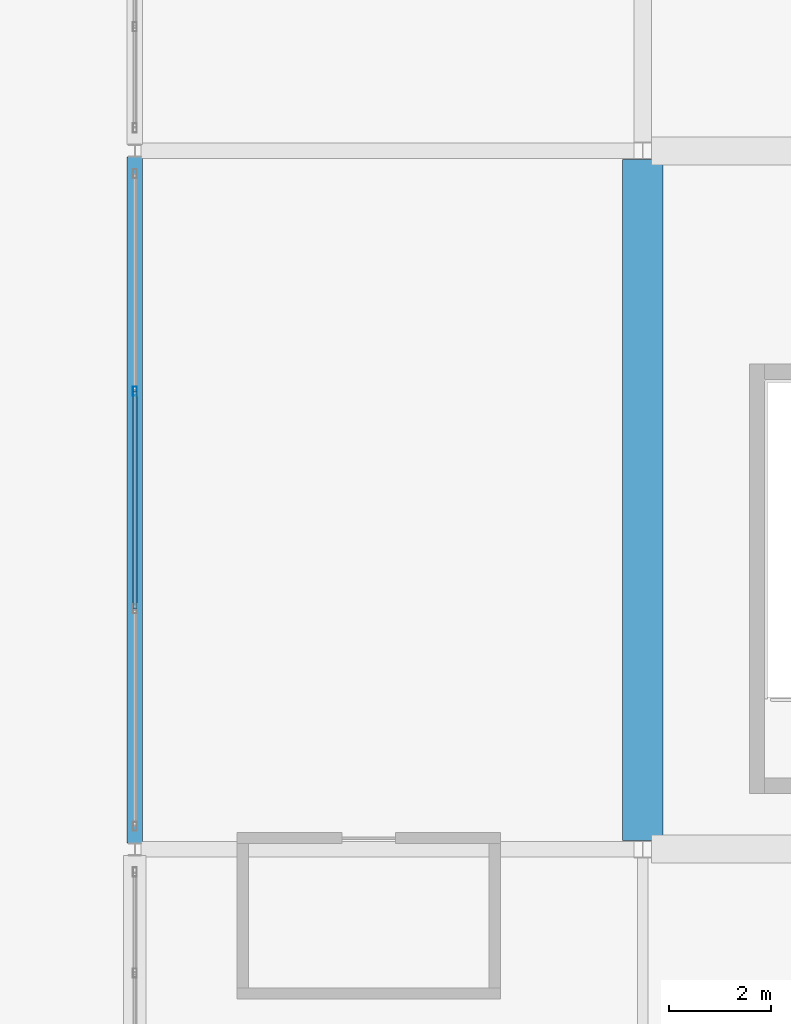
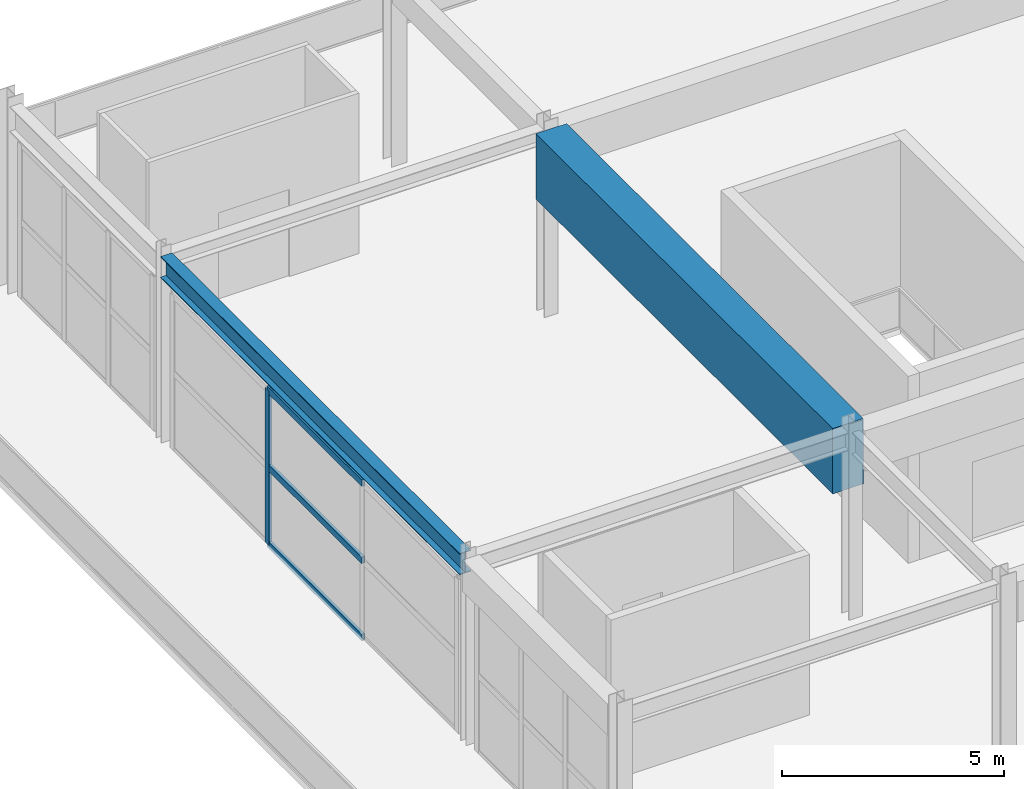
# One storey, part 23 of 117: 4 members, 2 beams, 1 element without a shape of its own.
"""IFC4 building model written with IfcOpenShell, lengths in metres."""

from ifc_helpers import new_model, si_unit, direction, frame, origin, origin_2d, place, context, subcontext, project, spatial, rectangle, hollow_rectangle, i_section, extrude, material, material_profile, profile_set, type_object, element, aggregate, save


model = new_model("IFC4")

# Units and contexts
model_context = context("Model", 3, precision=1e-05, world=origin(), true_north=direction((0.0, 1.0)))
body_context = subcontext(model_context, "Body", "Model", "MODEL_VIEW")
ifc_project = project(units=[si_unit("LENGTHUNIT", "METRE"), si_unit("AREAUNIT", "SQUARE_METRE"), si_unit("VOLUMEUNIT", "CUBIC_METRE"), si_unit("PLANEANGLEUNIT", "RADIAN"), si_unit("MASSUNIT", "GRAM", prefix="KILO")], contexts=[model_context])

# Site, building, storey
site_placement = place(None, origin())
site = spatial("IfcSite", under=ifc_project, at=site_placement, CompositionType="ELEMENT")
building_placement = place(site_placement, origin())
building = spatial("IfcBuilding", under=site, at=building_placement, Name="Linyun Crest Stadium", CompositionType="ELEMENT")
storey_placement = place(building_placement, frame((0.0, 0.0, 6.0)))
storey = spatial("IfcBuildingStorey", under=building, at=storey_placement, Name="L02", CompositionType="ELEMENT", Elevation=6.0)

# Beams
ifc_material_1 = material(Name="Steel Q355C", Category="steel")
ifc_material_profile_1 = material_profile(ifc_material_1, i_section(OverallWidth=0.300048828125, OverallDepth=0.587890625, WebThickness=0.011962890625, FlangeThickness=0.02001953125, at=origin_2d()), Name="HM 588x300")
ifc_profile_set_1 = profile_set([ifc_material_profile_1], Name="Steel Q355C")
beam_type_1 = type_object("IfcBeamType", Name="B09", PredefinedType="BEAM", material=ifc_profile_set_1)
beam_1_placement = place(storey_placement, frame((-94.0, -87.125, 4.85595703125), z_axis=(0.0, 1.0, 0.0), x_axis=(-1.0, 0.0, 0.0)))
element("IfcBeam", 1, at=beam_1_placement, inside=storey, type_object=beam_type_1, Name="Frame beam B09 L02 1099", PredefinedType="BEAM", context=body_context, shape_type="SweptSolid", body=[
    extrude(i_section(OverallWidth=0.300048828125, OverallDepth=0.587890625, WebThickness=0.011962890625, FlangeThickness=0.02001953125, at=origin_2d()), origin(), (0.0, 0.0, 1.0), 13.5),
])
ifc_material_2 = material(Name="Concrete C50", Category="concrete")
ifc_material_profile_2 = material_profile(ifc_material_2, rectangle(XDim=0.800048828125, YDim=1.800048828125, at=origin_2d()), Name="RCB 1800x800")
ifc_profile_set_2 = profile_set([ifc_material_profile_2], Name="Concrete C50")
beam_type_2 = type_object("IfcBeamType", Name="B14", PredefinedType="BEAM", material=ifc_profile_set_2)
beam_2_placement = place(storey_placement, frame((-84.0, -87.074951171875, 4.25), z_axis=(0.0, 1.0, 0.0), x_axis=(-1.0, 0.0, 0.0)))
element("IfcBeam", 2, at=beam_2_placement, inside=storey, type_object=beam_type_2, Name="Frame beam B14 L02 1102", PredefinedType="BEAM", context=body_context, shape_type="SweptSolid", body=[
    extrude(rectangle(XDim=0.800048828125, YDim=1.800048828125, at=origin_2d()), origin(), (0.0, 0.0, 1.0), 13.39990234375),
])

# Curtain wall, members
ifc_material_3 = material(Name="Verdigris steel and low-E curtain wall assembly", Category="steel")
curtain_wall_type = type_object("IfcCurtainWallType", Name="MCW05", PredefinedType="NOTDEFINED", material=ifc_material_3)
curtain_wall_placement = place(storey_placement, origin())
curtain_wall = element("IfcCurtainWall", 3, at=curtain_wall_placement, inside=storey, type_object=curtain_wall_type, Name="CWR-156", PredefinedType="NOTDEFINED")
ifc_material_4 = material(Name="Verdigris painted steel Q355B mullion", Category="steel")
ifc_material_profile_3 = material_profile(ifc_material_4, hollow_rectangle(XDim=0.080078125, YDim=0.179931640625, WallThickness=0.006103515625, at=origin_2d()), Name="RHS 180x80x6")
ifc_profile_set_3 = profile_set([ifc_material_profile_3], Name="Verdigris painted steel Q355B mullion")
member_type_1 = type_object("IfcMemberType", Name="ML02", PredefinedType="MULLION", material=ifc_profile_set_3)
member_1_placement = place(storey_placement, frame((-94.0, -78.23291015625, 0.0), z_axis=(0.0, 0.0, 1.0), x_axis=(-1.0, 0.0, 0.0)))
member_1 = element("IfcMember", 4, at=member_1_placement, type_object=member_type_1, Name="CWR-156 mullion 3", PredefinedType="MULLION", context=body_context, shape_type="SweptSolid", body=[
    extrude(hollow_rectangle(XDim=0.080078125, YDim=0.179931640625, WallThickness=0.006103515625, at=origin_2d()), origin(), (0.0, 0.0, 1.0), 4.25),
])
ifc_material_5 = material(Name="Verdigris painted steel Q355B transom", Category="steel")
ifc_material_profile_4 = material_profile(ifc_material_5, hollow_rectangle(XDim=0.080078125, YDim=0.179931640625, WallThickness=0.006103515625, at=origin_2d()), Name="RHS 180x80x6")
ifc_profile_set_4 = profile_set([ifc_material_profile_4], Name="Verdigris painted steel Q355B transom")
member_type_2 = type_object("IfcMemberType", Name="TR02", PredefinedType="USERDEFINED", material=ifc_profile_set_4)
member_2_placement = place(storey_placement, frame((-94.0, -82.51708984375, 0.0), z_axis=(0.0, 1.0, 0.0), x_axis=(-1.0, 0.0, 0.0)))
member_2 = element("IfcMember", 5, at=member_2_placement, type_object=member_type_2, Name="CWR-156 transom 2.1", ObjectType="TRANSOM", PredefinedType="USERDEFINED", context=body_context, shape_type="SweptSolid", body=[
    extrude(hollow_rectangle(XDim=0.080078125, YDim=0.179931640625, WallThickness=0.006103515625, at=origin_2d()), origin(), (0.0, 0.0, 1.0), 4.2841796875),
])
member_3_placement = place(storey_placement, frame((-94.0, -82.51708984375, 2.125), z_axis=(0.0, 1.0, 0.0), x_axis=(-1.0, 0.0, 0.0)))
member_3 = element("IfcMember", 6, at=member_3_placement, type_object=member_type_2, Name="CWR-156 transom 2.2", ObjectType="TRANSOM", PredefinedType="USERDEFINED", context=body_context, shape_type="SweptSolid", body=[
    extrude(hollow_rectangle(XDim=0.080078125, YDim=0.179931640625, WallThickness=0.006103515625, at=origin_2d()), origin(), (0.0, 0.0, 1.0), 4.2841796875),
])
member_4_placement = place(storey_placement, frame((-94.0, -82.51708984375, 4.25), z_axis=(0.0, 1.0, 0.0), x_axis=(-1.0, 0.0, 0.0)))
member_4 = element("IfcMember", 7, at=member_4_placement, type_object=member_type_2, Name="CWR-156 transom 2.3", ObjectType="TRANSOM", PredefinedType="USERDEFINED", context=body_context, shape_type="SweptSolid", body=[
    extrude(hollow_rectangle(XDim=0.080078125, YDim=0.179931640625, WallThickness=0.006103515625, at=origin_2d()), origin(), (0.0, 0.0, 1.0), 4.2841796875),
])
aggregate(curtain_wall, [member_1, member_2, member_3, member_4])

save(model, "model.ifc")
